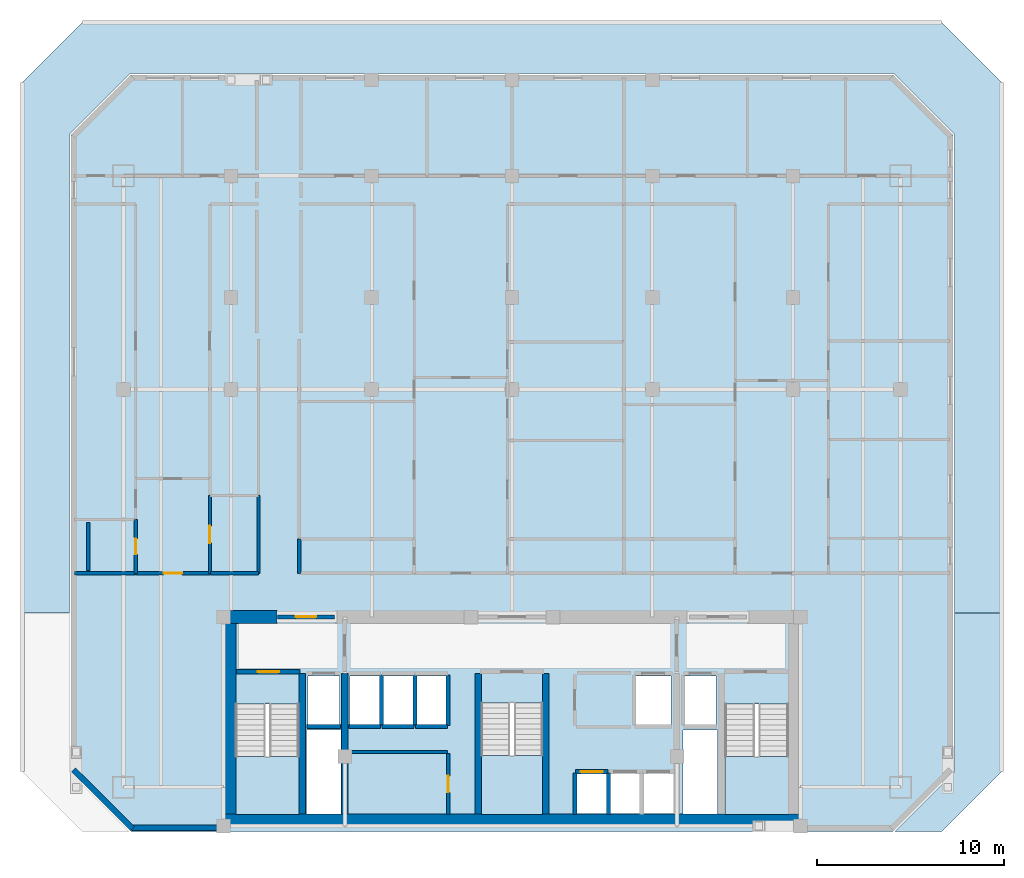
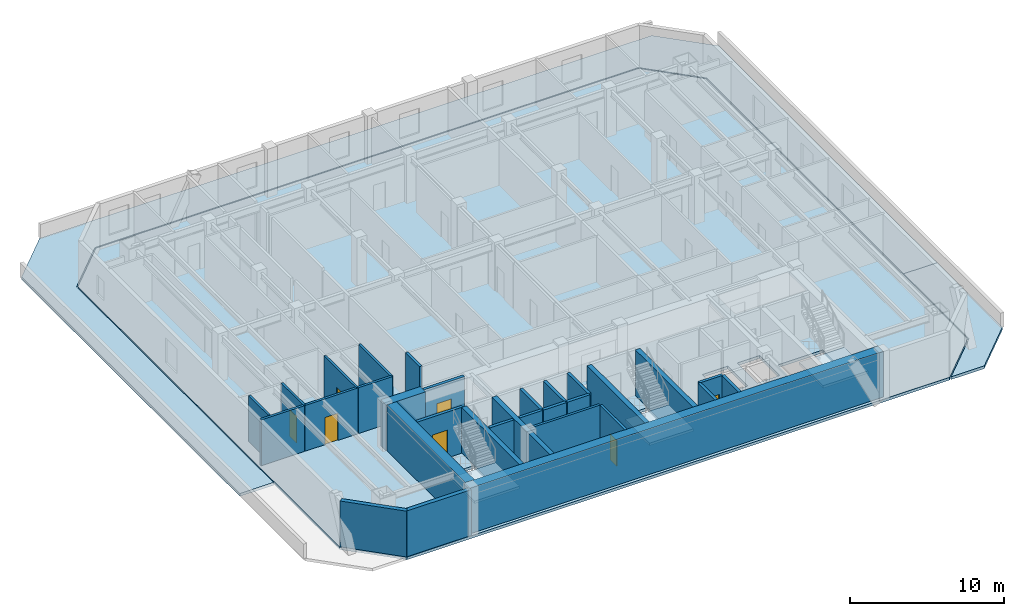
# One storey, part 2 of 8: 31 walls, 7 doors, 6 slabs, 7 openings, 3 elements without a shape of their own.
"""IFC4 building model written with IfcOpenShell, lengths in metres."""

from ifc_helpers import new_model, si_unit, direction, frame, frame_2d, origin, place, context, subcontext, project, spatial, polyline, rectangle, outline, extrude, material, layer, layer_set, type_object, element, fill, aggregate, save


model = new_model("IFC4")

# Units and contexts
model_context = context("Model", 3, precision=1e-05, world=origin(), true_north=direction((0.0, 1.0)))
body_context = subcontext(model_context, "Body", "Model", "MODEL_VIEW")
ifc_project = project(units=[si_unit("LENGTHUNIT", "METRE"), si_unit("AREAUNIT", "SQUARE_METRE"), si_unit("VOLUMEUNIT", "CUBIC_METRE"), si_unit("PLANEANGLEUNIT", "RADIAN"), si_unit("MASSUNIT", "GRAM", prefix="KILO")], contexts=[model_context])

# Site, building, storey
site_placement = place(None, origin())
site = spatial("IfcSite", under=ifc_project, at=site_placement, CompositionType="ELEMENT")
building_placement = place(site_placement, origin())
building = spatial("IfcBuilding", under=site, at=building_placement, Name="Ventersveld Concourse Tower", CompositionType="ELEMENT")
storey_placement = place(building_placement, frame((0.0, 0.0, 156.75)))
storey = spatial("IfcBuildingStorey", under=building, at=storey_placement, Name="L38", CompositionType="ELEMENT", Elevation=156.75)

# Slab
ifc_material_1 = material(Name="Concrete C50/60", Category="concrete")
ifc_layer_1 = layer(ifc_material_1, 0.219970703125)
ifc_layer_set_1 = layer_set([ifc_layer_1], Name="Concrete C50/60")
slab_type_1 = type_object("IfcSlabType", Name="SL-FLR-220", PredefinedType="FLOOR", material=ifc_layer_set_1)
slab_1_placement = place(storey_placement, frame((0.0, 0.0, -0.219970703125)))
element("IfcSlab", 1, at=slab_1_placement, inside=storey, type_object=slab_type_1, Name="L38 Composite Floor Slab", PredefinedType="FLOOR", context=body_context, shape_type="SweptSolid", body=[
    extrude(outline(polyline([(8.39990234375, 0.0), (49.10009765625, 0.0), (52.300048828125, 3.199951171875), (52.300048828125, 37.199951171875), (49.10009765625, 40.39990234375), (8.39990234375, 40.39990234375), (5.199951171875, 37.199951171875), (5.199951171875, 3.199951171875), (8.39990234375, 0.0)]), holes=[polyline([(13.97998046875, 6.794921875), (13.97998046875, 0.89990234375), (17.3798828125, 0.89990234375), (17.3798828125, 6.794921875), (13.97998046875, 6.794921875)]), polyline([(40.1201171875, 6.794921875), (40.1201171875, 0.89990234375), (43.52001953125, 0.89990234375), (43.52001953125, 6.794921875), (40.1201171875, 6.794921875)]), polyline([(27.10009765625, 6.844970703125), (27.10009765625, 0.89990234375), (30.39990234375, 0.89990234375), (30.39990234375, 6.844970703125), (27.10009765625, 6.844970703125)]), polyline([(17.85009765625, 5.699951171875), (19.530029296875, 5.699951171875), (19.530029296875, 8.300048828125), (17.85009765625, 8.300048828125), (17.85009765625, 5.699951171875)]), polyline([(37.969970703125, 5.699951171875), (39.64990234375, 5.699951171875), (39.64990234375, 8.300048828125), (37.969970703125, 8.300048828125), (37.969970703125, 5.699951171875)]), polyline([(35.35009765625, 5.699951171875), (37.25, 5.699951171875), (37.25, 8.300048828125), (35.35009765625, 8.300048828125), (35.35009765625, 5.699951171875)]), polyline([(32.2099609375, 0.949951171875), (33.81005859375, 0.949951171875), (33.81005859375, 3.050048828125), (32.2099609375, 3.050048828125), (32.2099609375, 0.949951171875)]), polyline([(33.989990234375, 0.949951171875), (35.590087890625, 0.949951171875), (35.590087890625, 3.050048828125), (33.989990234375, 3.050048828125), (33.989990234375, 0.949951171875)]), polyline([(35.77001953125, 0.949951171875), (37.3701171875, 0.949951171875), (37.3701171875, 3.050048828125), (35.77001953125, 3.050048828125), (35.77001953125, 0.949951171875)]), polyline([(20.090087890625, 5.699951171875), (21.68994140625, 5.699951171875), (21.68994140625, 8.300048828125), (20.090087890625, 8.300048828125), (20.090087890625, 5.699951171875)]), polyline([(21.8701171875, 5.699951171875), (23.469970703125, 5.699951171875), (23.469970703125, 8.300048828125), (21.8701171875, 8.300048828125), (21.8701171875, 5.699951171875)]), polyline([(23.64990234375, 5.699951171875), (25.25, 5.699951171875), (25.25, 8.300048828125), (23.64990234375, 8.300048828125), (23.64990234375, 5.699951171875)]), polyline([(17.780029296875, 0.919921875), (19.6201171875, 0.919921875), (19.6201171875, 5.419921875), (17.780029296875, 5.419921875), (17.780029296875, 0.919921875)]), polyline([(37.8798828125, 0.919921875), (39.719970703125, 0.919921875), (39.719970703125, 5.419921875), (37.8798828125, 5.419921875), (37.8798828125, 0.919921875)])]), origin(), (0.0, 0.0, 1.0), 0.219970703125),
])

# Stair, slab
stair_type_1 = type_object("IfcStairType", Name="ST-DOG-160", PredefinedType="HALF_TURN_STAIR", material=ifc_material_1)
stair_1_placement = place(storey_placement, origin())
stair_1 = element("IfcStair", 2, at=stair_1_placement, inside=storey, type_object=stair_type_1, Name="L38 Protected Tower Escape Stair ST-01", PredefinedType="HALF_TURN_STAIR")
ifc_layer_2 = layer(ifc_material_1, 0.199951171875)
ifc_layer_set_2 = layer_set([ifc_layer_2], Name="Concrete C50/60")
slab_type_2 = type_object("IfcSlabType", Name="SL-LND-200", PredefinedType="LANDING", material=ifc_layer_set_2)
slab_2_placement = place(storey_placement, frame((0.0, 0.0, 1.72509765625)))
slab_2 = element("IfcSlab", 3, at=slab_2_placement, type_object=slab_type_2, Name="ST-01 landing 1", PredefinedType="LANDING", context=body_context, shape_type="SweptSolid", body=[
    extrude(outline(polyline([(13.97998046875, 4.0), (13.97998046875, 0.89990234375), (17.3798828125, 0.89990234375), (17.3798828125, 4.0), (13.97998046875, 4.0)])), origin(), (0.0, 0.0, 1.0), 0.199951171875),
])
aggregate(stair_1, [slab_2])

stair_2_placement = place(storey_placement, origin())
stair_2 = element("IfcStair", 4, at=stair_2_placement, inside=storey, type_object=stair_type_1, Name="L38 Protected Tower Escape Stair ST-02", PredefinedType="HALF_TURN_STAIR")
slab_3_placement = place(storey_placement, frame((0.0, 0.0, 1.72509765625)))
slab_3 = element("IfcSlab", 5, at=slab_3_placement, type_object=slab_type_2, Name="ST-02 landing 1", PredefinedType="LANDING", context=body_context, shape_type="SweptSolid", body=[
    extrude(outline(polyline([(40.1201171875, 4.0), (40.1201171875, 0.89990234375), (43.52001953125, 0.89990234375), (43.52001953125, 4.0), (40.1201171875, 4.0)])), origin(), (0.0, 0.0, 1.0), 0.199951171875),
])
aggregate(stair_2, [slab_3])

stair_type_2 = type_object("IfcStairType", Name="ST-DOG-155", PredefinedType="HALF_TURN_STAIR", material=ifc_material_1)
stair_3_placement = place(storey_placement, origin())
stair_3 = element("IfcStair", 6, at=stair_3_placement, inside=storey, type_object=stair_type_2, Name="L38 Protected Central Core Escape Stair ST-03", PredefinedType="HALF_TURN_STAIR")
slab_4_placement = place(storey_placement, frame((0.0, 0.0, 1.72509765625)))
slab_4 = element("IfcSlab", 7, at=slab_4_placement, type_object=slab_type_2, Name="ST-03 landing 1", PredefinedType="LANDING", context=body_context, shape_type="SweptSolid", body=[
    extrude(outline(polyline([(27.10009765625, 4.050048828125), (27.10009765625, 0.89990234375), (30.39990234375, 0.89990234375), (30.39990234375, 4.050048828125), (27.10009765625, 4.050048828125)])), origin(), (0.0, 0.0, 1.0), 0.199951171875),
])
aggregate(stair_3, [slab_4])

# Slabs
ifc_layer_3 = layer(ifc_material_1, 0.219970703125)
ifc_layer_set_3 = layer_set([ifc_layer_3], Name="Concrete C50/60")
slab_type_3 = type_object("IfcSlabType", Name="SL-ROOF-220", PredefinedType="ROOF", material=ifc_layer_set_3)
slab_5_placement = place(storey_placement, frame((0.0, 0.0, -0.219970703125)))
element("IfcSlab", 8, at=slab_5_placement, inside=storey, type_object=slab_type_3, Name="L38 Maintenance Setback Roof Slab N1", PredefinedType="ROOF", context=body_context, shape_type="SweptSolid", body=[
    extrude(outline(polyline([(2.60009765625, 40.0), (5.800048828125, 43.199951171875), (51.699951171875, 43.199951171875), (54.89990234375, 40.0), (54.89990234375, 11.64990234375), (52.3798828125, 11.64990234375), (52.3798828125, 37.199951171875), (52.379638671875, 37.207763671875), (52.37841796875, 37.215576171875), (52.376708984375, 37.22314453125), (52.373779296875, 37.230712890625), (52.37060546875, 37.23779296875), (52.366455078125, 37.244384765625), (52.36181640625, 37.250732421875), (52.356689453125, 37.256591796875), (49.156494140625, 40.45654296875), (49.15087890625, 40.4619140625), (49.144287109375, 40.466552734375), (49.1376953125, 40.470703125), (49.130615234375, 40.473876953125), (49.123291015625, 40.4765625), (49.115478515625, 40.478515625), (49.10791015625, 40.4794921875), (49.10009765625, 40.47998046875), (8.39990234375, 40.47998046875), (8.39208984375, 40.4794921875), (8.384521484375, 40.478515625), (8.376708984375, 40.4765625), (8.369384765625, 40.473876953125), (8.3623046875, 40.470703125), (8.355712890625, 40.466552734375), (8.34912109375, 40.4619140625), (8.343505859375, 40.45654296875), (5.143310546875, 37.256591796875), (5.13818359375, 37.250732421875), (5.133544921875, 37.244384765625), (5.12939453125, 37.23779296875), (5.126220703125, 37.230712890625), (5.123291015625, 37.22314453125), (5.12158203125, 37.215576171875), (5.120361328125, 37.207763671875), (5.1201171875, 37.199951171875), (5.1201171875, 11.64990234375), (2.60009765625, 11.64990234375), (2.60009765625, 40.0)])), origin(), (0.0, 0.0, 1.0), 0.219970703125),
])
slab_6_placement = place(storey_placement, frame((0.0, 0.0, -0.219970703125)))
element("IfcSlab", 9, at=slab_6_placement, inside=storey, type_object=slab_type_3, Name="L38 Maintenance Setback Roof Slab E3", PredefinedType="ROOF", context=body_context, shape_type="SweptSolid", body=[
    extrude(outline(polyline([(54.89990234375, 3.199951171875), (51.699951171875, 0.0), (49.213134765625, 0.0), (52.356689453125, 3.143310546875), (52.36181640625, 3.149169921875), (52.366455078125, 3.155517578125), (52.37060546875, 3.162353515625), (52.373779296875, 3.16943359375), (52.376708984375, 3.1767578125), (52.37841796875, 3.184326171875), (52.379638671875, 3.192138671875), (52.3798828125, 3.199951171875), (52.3798828125, 11.64990234375), (54.89990234375, 11.64990234375), (54.89990234375, 3.199951171875)])), origin(), (0.0, 0.0, 1.0), 0.219970703125),
])

# Walls
ifc_material_2 = material(Name="Concrete C60/75", Category="concrete")
ifc_layer_4 = layer(ifc_material_2, 0.35009765625)
ifc_layer_set_4 = layer_set([ifc_layer_4], Name="Concrete C60/75")
wall_type_1 = type_object("IfcWallType", Name="WL-CORE-350L", PredefinedType="SHEAR", material=ifc_layer_set_4)
for number, where, z_axis, x_axis, name in (
    (10, (17.5400390625, 0.919921875, 0.0), (0.0, 0.0, 1.0), (0.0, 1.0, 0.0), "L38 Core Internal Shear Web W-ST1-E"),
    (11, (19.820068359375, 0.919921875, 0.0), (0.0, 0.0, 1.0), (0.0, 1.0, 0.0), "L38 Core Internal Shear Web W-FF1-E"),
    (12, (26.93994140625, 0.919921875, 0.0), (0.0, 0.0, 1.0), (0.0, 1.0, 0.0), "L38 Core Internal Shear Web W-ST3-W"),
    (13, (30.56005859375, 0.919921875, 0.0), (0.0, 0.0, 1.0), (0.0, 1.0, 0.0), "L38 Core Internal Shear Web W-ST3-E"),
):
    element("IfcWall", number, at=place(storey_placement, frame(where, z_axis=z_axis, x_axis=x_axis)), inside=storey, type_object=wall_type_1, Name=name, PredefinedType="SHEAR", context=body_context, shape_type="SweptSolid", body=[
        extrude(rectangle(XDim=7.5, YDim=0.35009765625, at=frame_2d((3.75, 0.0))), origin(), (0.0, 0.0, 1.0), 3.6298828125),
    ])
ifc_layer_5 = layer(ifc_material_2, 0.699951171875)
ifc_layer_set_5 = layer_set([ifc_layer_5], Name="Concrete C60/75")
wall_type_2 = type_object("IfcWallType", Name="WL-CORE-700", PredefinedType="SHEAR", material=ifc_layer_set_5)
wall_1_placement = place(storey_placement, frame((13.25, 0.570068359375, 0.0), z_axis=(0.0, 0.0, 1.0), x_axis=(1.0, 0.0, 0.0)))
element("IfcWall", 14, at=wall_1_placement, inside=storey, type_object=wall_type_2, Name="L38 Rear Core South Shear Wall", PredefinedType="SHEAR", context=body_context, shape_type="SweptSolid", body=[
    extrude(rectangle(XDim=31.0, YDim=0.699951171875, at=frame_2d((15.5, 0.0))), origin(), (0.0, 0.0, 1.0), 3.6298828125),
])
wall_2_placement = place(storey_placement, frame((13.64990234375, 0.919921875, 0.0), z_axis=(0.0, 0.0, 1.0), x_axis=(0.0, 1.0, 0.0)))
element("IfcWall", 15, at=wall_2_placement, inside=storey, type_object=wall_type_2, Name="L38 Rear Core West Shear Wall", PredefinedType="SHEAR", context=body_context, shape_type="SweptSolid", body=[
    extrude(rectangle(XDim=10.530029296875, YDim=0.699951171875, at=frame_2d((5.26513671875, 0.0))), origin(), (0.0, 0.0, 1.0), 3.6298828125),
])
wall_3_placement = place(storey_placement, frame((13.25, 11.449951171875, 0.0), z_axis=(0.0, 0.0, 1.0), x_axis=(1.0, 0.0, 0.0)))
element("IfcWall", 16, at=wall_3_placement, inside=storey, type_object=wall_type_2, Name="L38 Rear Core North Shear Wall NW", PredefinedType="SHEAR", context=body_context, shape_type="SweptSolid", body=[
    extrude(rectangle(XDim=2.949951171875, YDim=0.699951171875, at=frame_2d((1.47509765625, 0.0))), origin(), (0.0, 0.0, 1.0), 3.6298828125),
])

# Wall, opening, door
ifc_material_3 = material(Name="Fire-rated autoclaved aerated masonry blockwork", Category="masonry")
ifc_layer_6 = layer(ifc_material_3, 0.179931640625)
ifc_layer_set_6 = layer_set([ifc_layer_6], Name="Fire-rated autoclaved aerated masonry blockwork")
wall_type_3 = type_object("IfcWallType", Name="WL-CORR-180", PredefinedType="PARTITIONING", material=ifc_layer_set_6)
wall_4_placement = place(storey_placement, frame((25.35009765625, 0.89990234375, 0.0), z_axis=(0.0, 0.0, 1.0), x_axis=(0.0, 1.0, 0.0)))
wall_4 = element("IfcWall", 17, at=wall_4_placement, inside=storey, type_object=wall_type_3, Name="L38 Core Passage Wall SP-L38-RECB1A", PredefinedType="PARTITIONING", context=body_context, shape_type="SweptSolid", body=[
    extrude(rectangle(XDim=3.239990234375, YDim=0.179931640625, at=frame_2d((1.6201171875, 0.0))), origin(), (0.0, 0.0, 1.0), 3.6298828125),
])
opening_1_placement = place(wall_4_placement, frame((1.179931640625, 0.0, 0.0)))
opening_1 = element("IfcOpeningElement", 18, at=opening_1_placement, cuts=wall_4, Name="Opening FD5", PredefinedType="OPENING", context=body_context, shape_type="SweptSolid", body=[
    extrude(rectangle(XDim=0.8798828125, YDim=2.050048828125, at=frame_2d((0.43994140625, 1.02490234375))), frame((0.0, 0.10009765625, 0.0), z_axis=(0.0, -1.0, 0.0), x_axis=(1.0, 0.0, 0.0)), (0.0, 0.0, 1.0), 0.199951171875),
])
ifc_material_4 = material(Name="Galvanised painted steel", Category="steel")
door_type_1 = type_object("IfcDoorType", Name="DR-RISER-088", OperationType="NOTDEFINED", PredefinedType="DOOR", material=ifc_material_4)
door_1_placement = place(opening_1_placement, origin())
door_1 = element("IfcDoor", 19, at=door_1_placement, inside=storey, type_object=door_type_1, Name="L38 Core Room Door L38 Reclaimed Core Quiet Study Pod (CD-L38-1858)", OperationType="SINGLE_SWING_LEFT", OverallHeight=2.050048828125, OverallWidth=0.8798828125, PredefinedType="DOOR", context=body_context, shape_type="SweptSolid", body=[
    extrude(rectangle(XDim=0.8798828125, YDim=2.050048828125, at=frame_2d((0.43994140625, 1.02490234375))), frame((0.0, 0.02490234375, 0.0), z_axis=(0.0, -1.0, 0.0), x_axis=(1.0, 0.0, 0.0)), (0.0, 0.0, 1.0), 0.050048828125),
])
fill(opening_1, door_1)

# Wall
wall_5_placement = place(storey_placement, frame((19.97998046875, 4.22998046875, 0.0), z_axis=(0.0, 0.0, 1.0), x_axis=(1.0, 0.0, 0.0)))
element("IfcWall", 20, at=wall_5_placement, inside=storey, type_object=wall_type_3, Name="L38 Core Top Wall SP-L38-RECB1A", PredefinedType="PARTITIONING", context=body_context, shape_type="SweptSolid", body=[
    extrude(rectangle(XDim=5.320068359375, YDim=0.179931640625, at=frame_2d((2.66015625, 0.0))), origin(), (0.0, 0.0, 1.0), 3.6298828125),
])

# Wall, opening, door
wall_6_placement = place(storey_placement, frame((8.65380859375, 13.77001953125, 0.0), z_axis=(0.0, 0.0, 1.0), x_axis=(1.0, 0.0, 0.0)))
wall_6 = element("IfcWall", 21, at=wall_6_placement, inside=storey, type_object=wall_type_3, Name="L38 Interior Partition SP-L38-COR-SP-L38-38NW-FOY", PredefinedType="PARTITIONING", context=body_context, shape_type="SweptSolid", body=[
    extrude(rectangle(XDim=3.969970703125, YDim=0.179931640625, at=frame_2d((1.98486328125, 0.0))), origin(), (0.0, 0.0, 1.0), 3.6298828125),
])
opening_2_placement = place(wall_6_placement, frame((1.485107421875, 0.0, 0.0)))
opening_2 = element("IfcOpeningElement", 22, at=opening_2_placement, cuts=wall_6, Name="Opening FD3", PredefinedType="OPENING", context=body_context, shape_type="SweptSolid", body=[
    extrude(rectangle(XDim=1.0, YDim=2.14990234375, at=frame_2d((0.5, 1.074951171875))), frame((0.0, 0.10009765625, 0.0), z_axis=(0.0, -1.0, 0.0), x_axis=(1.0, 0.0, 0.0)), (0.0, 0.0, 1.0), 0.199951171875),
])
ifc_material_5 = material(Name="Solid-core hardwood veneer timber", Category="wood")
door_type_2 = type_object("IfcDoorType", Name="DR-FLAT-100", OperationType="NOTDEFINED", PredefinedType="DOOR", material=ifc_material_5)
door_2_placement = place(opening_2_placement, origin())
door_2 = element("IfcDoor", 23, at=door_2_placement, inside=storey, type_object=door_type_2, Name="L38 Interior Door SP-L38-COR to SP-L38-38NW-FOY (FD-L38-1860)", OperationType="SINGLE_SWING_RIGHT", OverallHeight=2.14990234375, OverallWidth=1.0, PredefinedType="DOOR", context=body_context, shape_type="SweptSolid", body=[
    extrude(rectangle(XDim=1.0, YDim=2.14990234375, at=frame_2d((0.5, 1.074951171875))), frame((0.0, 0.02490234375, 0.0), z_axis=(0.0, -1.0, 0.0), x_axis=(1.0, 0.0, 0.0)), (0.0, 0.0, 1.0), 0.050048828125),
])
fill(opening_2, door_2)

# Walls
wall_7_placement = place(storey_placement, frame((5.37255859375, 13.77001953125, 0.0), z_axis=(0.0, 0.0, 1.0), x_axis=(1.0, 0.0, 0.0)))
element("IfcWall", 24, at=wall_7_placement, inside=storey, type_object=wall_type_3, Name="L38 Interior Partition SP-L38-COR-SP-L38-38NW-BATH", PredefinedType="PARTITIONING", context=body_context, shape_type="SweptSolid", body=[
    extrude(rectangle(XDim=3.251220703125, YDim=0.179931640625, at=frame_2d((1.62548828125, 0.0))), origin(), (0.0, 0.0, 1.0), 3.6298828125),
])
wall_8_placement = place(storey_placement, frame((15.2099609375, 13.764892578125, 0.0), z_axis=(0.0, 0.0, 1.0), x_axis=(0.0, 1.0, 0.0)))
element("IfcWall", 25, at=wall_8_placement, inside=storey, type_object=wall_type_3, Name="L38 Interior Partition SP-L38-COR-SP-L38-38NW-KIT", PredefinedType="PARTITIONING", context=body_context, shape_type="SweptSolid", body=[
    extrude(rectangle(XDim=4.17138671875, YDim=0.179931640625, at=frame_2d((2.085693359375, 0.0))), origin(), (0.0, 0.0, 1.0), 3.6298828125),
])
wall_9_placement = place(storey_placement, frame((12.65380859375, 13.77001953125, 0.0), z_axis=(0.0, 0.0, 1.0), x_axis=(1.0, 0.0, 0.0)))
element("IfcWall", 26, at=wall_9_placement, inside=storey, type_object=wall_type_3, Name="L38 Interior Partition SP-L38-COR-SP-L38-38NW-KIT", PredefinedType="PARTITIONING", context=body_context, shape_type="SweptSolid", body=[
    extrude(rectangle(XDim=2.561279296875, YDim=0.179931640625, at=frame_2d((1.28076171875, 0.0))), origin(), (0.0, 0.0, 1.0), 3.6298828125),
])
wall_10_placement = place(storey_placement, frame((17.389892578125, 13.764892578125, 0.0), z_axis=(0.0, 0.0, 1.0), x_axis=(0.0, 1.0, 0.0)))
element("IfcWall", 27, at=wall_10_placement, inside=storey, type_object=wall_type_3, Name="L38 Interior Partition SP-L38-COR-SP-L38-38N1-BATH", PredefinedType="PARTITIONING", context=body_context, shape_type="SweptSolid", body=[
    extrude(rectangle(XDim=1.840087890625, YDim=0.179931640625, at=frame_2d((0.919921875, 0.0))), origin(), (0.0, 0.0, 1.0), 3.6298828125),
])
ifc_layer_7 = layer(ifc_material_3, 0.219970703125)
ifc_layer_set_7 = layer_set([ifc_layer_7], Name="Fire-rated autoclaved aerated masonry blockwork")
wall_type_4 = type_object("IfcWallType", Name="WL-HOIST-220", PredefinedType="SOLIDWALL", material=ifc_layer_set_7)
wall_11_placement = place(storey_placement, frame((17.800048828125, 5.590087890625, 0.0), z_axis=(0.0, 0.0, 1.0), x_axis=(1.0, 0.0, 0.0)))
element("IfcWall", 28, at=wall_11_placement, inside=storey, type_object=wall_type_4, Name="L38 Lift Hoistway Back Wall FFL-01", PredefinedType="SOLIDWALL", context=body_context, shape_type="SweptSolid", body=[
    extrude(rectangle(XDim=1.780029296875, YDim=0.219970703125, at=frame_2d((0.89013671875, 0.0))), origin(), (0.0, 0.0, 1.0), 3.6298828125),
])
for number, where, z_axis, x_axis, name in (
    (29, (32.1201171875, 0.89990234375, 0.0), (0.0, 0.0, 1.0), (0.0, 1.0, 0.0), "L38 Lift Hoistway Side Wall PM-01W"),
    (30, (33.89990234375, 0.89990234375, 0.0), (0.0, 0.0, 1.0), (0.0, 1.0, 0.0), "L38 Lift Hoistway Side Wall PM-01E"),
):
    element("IfcWall", number, at=place(storey_placement, frame(where, z_axis=z_axis, x_axis=x_axis)), inside=storey, type_object=wall_type_4, Name=name, PredefinedType="SOLIDWALL", context=body_context, shape_type="SweptSolid", body=[
        extrude(rectangle(XDim=2.2001953125, YDim=0.219970703125, at=frame_2d((1.10009765625, 0.0))), origin(), (0.0, 0.0, 1.0), 3.6298828125),
    ])

# Wall, opening, door
wall_12_placement = place(storey_placement, frame((32.139892578125, 3.179931640625, 0.0), z_axis=(0.0, 0.0, 1.0), x_axis=(1.0, 0.0, 0.0)))
wall_12 = element("IfcWall", 31, at=wall_12_placement, inside=storey, type_object=wall_type_4, Name="L38 Lift Hoistway Front Wall PM-01", PredefinedType="SOLIDWALL", context=body_context, shape_type="SweptSolid", body=[
    extrude(rectangle(XDim=1.739990234375, YDim=0.219970703125, at=frame_2d((0.8701171875, 0.0))), origin(), (0.0, 0.0, 1.0), 3.6298828125),
])
opening_3_placement = place(wall_12_placement, frame((0.280029296875, 0.0, 0.0)))
opening_3 = element("IfcOpeningElement", 32, at=opening_3_placement, cuts=wall_12, Name="Opening LD2", PredefinedType="OPENING", context=body_context, shape_type="SweptSolid", body=[
    extrude(rectangle(XDim=1.179931640625, YDim=2.199951171875, at=frame_2d((0.58984375, 1.10009765625))), frame((0.0, 0.1201171875, 0.0), z_axis=(0.0, -1.0, 0.0), x_axis=(1.0, 0.0, 0.0)), (0.0, 0.0, 1.0), 0.239990234375),
])
ifc_material_6 = material(Name="Brushed stainless steel 316", Category="steel")
door_type_3 = type_object("IfcDoorType", Name="LD-PAX-118", OperationType="SLIDING_TO_LEFT", PredefinedType="DOOR", material=ifc_material_6)
door_3_placement = place(opening_3_placement, origin())
door_3 = element("IfcDoor", 33, at=door_3_placement, inside=storey, type_object=door_type_3, Name="L38 Lift landing door PM-01 (LD-L38-PM-01)", OperationType="SLIDING_TO_RIGHT", OverallHeight=2.199951171875, OverallWidth=1.179931640625, PredefinedType="DOOR", context=body_context, shape_type="SweptSolid", body=[
    extrude(rectangle(XDim=1.179931640625, YDim=2.199951171875, at=frame_2d((0.58984375, 1.10009765625))), frame((0.0, 0.02490234375, 0.0), z_axis=(0.0, -1.0, 0.0), x_axis=(1.0, 0.0, 0.0)), (0.0, 0.0, 1.0), 0.050048828125),
])
fill(opening_3, door_3)

# Walls
wall_13_placement = place(storey_placement, frame((20.0400390625, 5.590087890625, 0.0), z_axis=(0.0, 0.0, 1.0), x_axis=(1.0, 0.0, 0.0)))
element("IfcWall", 34, at=wall_13_placement, inside=storey, type_object=wall_type_4, Name="L38 Lift Hoistway Back Wall PH-01", PredefinedType="SOLIDWALL", context=body_context, shape_type="SweptSolid", body=[
    extrude(rectangle(XDim=1.699951171875, YDim=0.219970703125, at=frame_2d((0.85009765625, 0.0))), origin(), (0.0, 0.0, 1.0), 3.6298828125),
])
wall_14_placement = place(storey_placement, frame((21.780029296875, 5.64990234375, 0.0), z_axis=(0.0, 0.0, 1.0), x_axis=(0.0, 1.0, 0.0)))
element("IfcWall", 35, at=wall_14_placement, inside=storey, type_object=wall_type_4, Name="L38 Lift Hoistway Side Wall PH-01E", PredefinedType="SOLIDWALL", context=body_context, shape_type="SweptSolid", body=[
    extrude(rectangle(XDim=2.7001953125, YDim=0.219970703125, at=frame_2d((1.35009765625, 0.0))), origin(), (0.0, 0.0, 1.0), 3.6298828125),
])
wall_15_placement = place(storey_placement, frame((21.820068359375, 5.590087890625, 0.0), z_axis=(0.0, 0.0, 1.0), x_axis=(1.0, 0.0, 0.0)))
element("IfcWall", 36, at=wall_15_placement, inside=storey, type_object=wall_type_4, Name="L38 Lift Hoistway Back Wall PH-02", PredefinedType="SOLIDWALL", context=body_context, shape_type="SweptSolid", body=[
    extrude(rectangle(XDim=1.699951171875, YDim=0.219970703125, at=frame_2d((0.85009765625, 0.0))), origin(), (0.0, 0.0, 1.0), 3.6298828125),
])
wall_16_placement = place(storey_placement, frame((23.56005859375, 5.64990234375, 0.0), z_axis=(0.0, 0.0, 1.0), x_axis=(0.0, 1.0, 0.0)))
element("IfcWall", 37, at=wall_16_placement, inside=storey, type_object=wall_type_4, Name="L38 Lift Hoistway Side Wall PH-02E", PredefinedType="SOLIDWALL", context=body_context, shape_type="SweptSolid", body=[
    extrude(rectangle(XDim=2.7001953125, YDim=0.219970703125, at=frame_2d((1.35009765625, 0.0))), origin(), (0.0, 0.0, 1.0), 3.6298828125),
])
wall_17_placement = place(storey_placement, frame((23.60009765625, 5.590087890625, 0.0), z_axis=(0.0, 0.0, 1.0), x_axis=(1.0, 0.0, 0.0)))
element("IfcWall", 38, at=wall_17_placement, inside=storey, type_object=wall_type_4, Name="L38 Lift Hoistway Back Wall PH-03", PredefinedType="SOLIDWALL", context=body_context, shape_type="SweptSolid", body=[
    extrude(rectangle(XDim=1.699951171875, YDim=0.219970703125, at=frame_2d((0.85009765625, 0.0))), origin(), (0.0, 0.0, 1.0), 3.6298828125),
])
wall_18_placement = place(storey_placement, frame((25.340087890625, 5.64990234375, 0.0), z_axis=(0.0, 0.0, 1.0), x_axis=(0.0, 1.0, 0.0)))
element("IfcWall", 39, at=wall_18_placement, inside=storey, type_object=wall_type_4, Name="L38 Lift Hoistway Side Wall PH-03E", PredefinedType="SOLIDWALL", context=body_context, shape_type="SweptSolid", body=[
    extrude(rectangle(XDim=2.7001953125, YDim=0.219970703125, at=frame_2d((1.35009765625, 0.0))), origin(), (0.0, 0.0, 1.0), 3.6298828125),
])

# Wall, opening, door
wall_19_placement = place(storey_placement, frame((14.0400390625, 8.52001953125, 0.0), z_axis=(0.0, 0.0, 1.0), x_axis=(1.0, 0.0, 0.0)))
wall_19 = element("IfcWall", 40, at=wall_19_placement, inside=storey, type_object=wall_type_4, Name="L38 Escape Stair ST01 Fire Wall", PredefinedType="SOLIDWALL", context=body_context, shape_type="SweptSolid", body=[
    extrude(rectangle(XDim=3.39990234375, YDim=0.219970703125, at=frame_2d((1.699951171875, 0.0))), origin(), (0.0, 0.0, 1.0), 3.6298828125),
])
opening_4_placement = place(wall_19_placement, frame((1.125, 0.0, 0.0)))
opening_4 = element("IfcOpeningElement", 41, at=opening_4_placement, cuts=wall_19, Name="Opening FD1", PredefinedType="OPENING", context=body_context, shape_type="SweptSolid", body=[
    extrude(rectangle(XDim=1.14990234375, YDim=2.199951171875, at=frame_2d((0.574951171875, 1.10009765625))), frame((0.0, 0.1201171875, 0.0), z_axis=(0.0, -1.0, 0.0), x_axis=(1.0, 0.0, 0.0)), (0.0, 0.0, 1.0), 0.239990234375),
])
door_type_4 = type_object("IfcDoorType", Name="DR-STAIR-115", OperationType="NOTDEFINED", PredefinedType="DOOR", material=ifc_material_4)
door_4_placement = place(opening_4_placement, origin())
door_4 = element("IfcDoor", 42, at=door_4_placement, inside=storey, type_object=door_type_4, Name="L38 Escape Stair Door ST01 (SD-L38-1850)", OperationType="SINGLE_SWING_LEFT", OverallHeight=2.199951171875, OverallWidth=1.14990234375, PredefinedType="DOOR", context=body_context, shape_type="SweptSolid", body=[
    extrude(rectangle(XDim=1.14990234375, YDim=2.199951171875, at=frame_2d((0.574951171875, 1.10009765625))), frame((0.0, 0.02490234375, 0.0), z_axis=(0.0, -1.0, 0.0), x_axis=(1.0, 0.0, 0.0)), (0.0, 0.0, 1.0), 0.050048828125),
])
fill(opening_4, door_4)

wall_20_placement = place(storey_placement, frame((16.22998046875, 11.449951171875, 0.0), z_axis=(0.0, 0.0, 1.0), x_axis=(1.0, 0.0, 0.0)))
wall_20 = element("IfcWall", 43, at=wall_20_placement, inside=storey, type_object=wall_type_4, Name="L38 Core North Fire Portal FFLW-OUT", PredefinedType="SOLIDWALL", context=body_context, shape_type="SweptSolid", body=[
    extrude(rectangle(XDim=3.0400390625, YDim=0.219970703125, at=frame_2d((1.52001953125, 0.0))), origin(), (0.0, 0.0, 1.0), 3.6298828125),
])
opening_5_placement = place(wall_20_placement, frame((0.969970703125, 0.0, 0.0)))
opening_5 = element("IfcOpeningElement", 44, at=opening_5_placement, cuts=wall_20, Name="Opening FD2", PredefinedType="OPENING", context=body_context, shape_type="SweptSolid", body=[
    extrude(rectangle(XDim=1.10009765625, YDim=2.199951171875, at=frame_2d((0.550048828125, 1.10009765625))), frame((0.0, 0.1201171875, 0.0), z_axis=(0.0, -1.0, 0.0), x_axis=(1.0, 0.0, 0.0)), (0.0, 0.0, 1.0), 0.239990234375),
])
door_type_5 = type_object("IfcDoorType", Name="DR-FFL-110", OperationType="NOTDEFINED", PredefinedType="DOOR", material=ifc_material_4)
door_5_placement = place(opening_5_placement, origin())
door_5 = element("IfcDoor", 45, at=door_5_placement, inside=storey, type_object=door_type_5, Name="L38 Core Lobby Fire Door FFLW-OUT (FD-L38-1855)", OperationType="SINGLE_SWING_RIGHT", OverallHeight=2.199951171875, OverallWidth=1.10009765625, PredefinedType="DOOR", context=body_context, shape_type="SweptSolid", body=[
    extrude(rectangle(XDim=1.10009765625, YDim=2.199951171875, at=frame_2d((0.550048828125, 1.10009765625))), frame((0.0, 0.02490234375, 0.0), z_axis=(0.0, -1.0, 0.0), x_axis=(1.0, 0.0, 0.0)), (0.0, 0.0, 1.0), 0.050048828125),
])
fill(opening_5, door_5)

ifc_material_7 = material(Name="Autoclaved aerated masonry blockwork", Category="masonry")
ifc_layer_8 = layer(ifc_material_7, 0.14990234375)
ifc_layer_set_8 = layer_set([ifc_layer_8], Name="Autoclaved aerated masonry blockwork")
wall_type_5 = type_object("IfcWallType", Name="WL-INT-150", PredefinedType="PARTITIONING", material=ifc_layer_set_8)
wall_21_placement = place(storey_placement, frame((12.61865234375, 13.764892578125, 0.0), z_axis=(0.0, 0.0, 1.0), x_axis=(0.0, 1.0, 0.0)))
wall_21 = element("IfcWall", 46, at=wall_21_placement, inside=storey, type_object=wall_type_5, Name="L38 Interior Partition SP-L38-38NW-FOY-SP-L38-38NW-KIT", PredefinedType="PARTITIONING", context=body_context, shape_type="SweptSolid", body=[
    extrude(rectangle(XDim=4.17138671875, YDim=0.14990234375, at=frame_2d((2.085693359375, 0.0))), origin(), (0.0, 0.0, 1.0), 3.6298828125),
])
opening_6_placement = place(wall_21_placement, frame((1.62548828125, 0.0, 0.0)))
opening_6 = element("IfcOpeningElement", 47, at=opening_6_placement, cuts=wall_21, Name="Opening ID1", PredefinedType="OPENING", context=body_context, shape_type="SweptSolid", body=[
    extrude(rectangle(XDim=0.919921875, YDim=2.10009765625, at=frame_2d((0.4599609375, 1.050048828125))), frame((0.0, 0.0849609375, 0.0), z_axis=(0.0, -1.0, 0.0), x_axis=(1.0, 0.0, 0.0)), (0.0, 0.0, 1.0), 0.169921875),
])
door_type_6 = type_object("IfcDoorType", Name="DR-ROOM-092", OperationType="NOTDEFINED", PredefinedType="DOOR", material=ifc_material_5)
door_6_placement = place(opening_6_placement, origin())
door_6 = element("IfcDoor", 48, at=door_6_placement, inside=storey, type_object=door_type_6, Name="L38 Interior Door SP-L38-38NW-FOY to SP-L38-38NW-KIT (D-L38-1866)", OperationType="SINGLE_SWING_RIGHT", OverallHeight=2.10009765625, OverallWidth=0.919921875, PredefinedType="DOOR", context=body_context, shape_type="SweptSolid", body=[
    extrude(rectangle(XDim=0.919921875, YDim=2.10009765625, at=frame_2d((0.4599609375, 1.050048828125))), frame((0.0, 0.02490234375, 0.0), z_axis=(0.0, -1.0, 0.0), x_axis=(1.0, 0.0, 0.0)), (0.0, 0.0, 1.0), 0.050048828125),
])
fill(opening_6, door_6)

# Walls
ifc_material_8 = material(Name="Precast concrete C45/55", Category="concrete")
ifc_layer_9 = layer(ifc_material_8, 0.300048828125)
ifc_layer_set_9 = layer_set([ifc_layer_9], Name="Precast concrete C45/55")
wall_type_6 = type_object("IfcWallType", Name="WL-PREC-300", PredefinedType="SOLIDWALL", material=ifc_layer_set_9)
wall_22_placement = place(storey_placement, frame((8.43994140625, 0.179931640625, 0.0), z_axis=(0.0, 0.0, 1.0), x_axis=(1.0, 0.0, 0.0)))
element("IfcWall", 49, at=wall_22_placement, inside=storey, type_object=wall_type_6, Name="L38 South-West Flank Precast Wall", PredefinedType="SOLIDWALL", context=body_context, shape_type="SweptSolid", body=[
    extrude(rectangle(XDim=4.81005859375, YDim=0.300048828125, at=frame_2d((2.405029296875, 0.0))), origin(), (0.0, 0.0, 1.0), 3.6298828125),
])
wall_23_placement = place(storey_placement, frame((5.33447265625, 3.27783203125, 0.0), z_axis=(0.0, 0.0, 1.0), x_axis=(0.707106781187, -0.707106781187, 0.0)))
element("IfcWall", 50, at=wall_23_placement, inside=storey, type_object=wall_type_6, Name="L38 Highveld Precast Facade Wall E08", PredefinedType="SOLIDWALL", context=body_context, shape_type="SweptSolid", body=[
    extrude(rectangle(XDim=4.4453125, YDim=0.300048828125, at=frame_2d((2.22265625, 0.0))), origin(), (0.0, 0.0, 1.0), 3.6298828125),
])

# Wall, opening, door
ifc_layer_10 = layer(ifc_material_7, 0.1650390625)
ifc_layer_set_10 = layer_set([ifc_layer_10], Name="Autoclaved aerated masonry blockwork")
wall_type_7 = type_object("IfcWallType", Name="WL-WET-165", PredefinedType="PLUMBINGWALL", material=ifc_layer_set_10)
wall_24_placement = place(storey_placement, frame((8.65869140625, 13.764892578125, 0.0), z_axis=(0.0, 0.0, 1.0), x_axis=(0.0, 1.0, 0.0)))
wall_24 = element("IfcWall", 51, at=wall_24_placement, inside=storey, type_object=wall_type_7, Name="L38 Interior Partition SP-L38-38NW-FOY-SP-L38-38NW-BATH", PredefinedType="PLUMBINGWALL", context=body_context, shape_type="SweptSolid", body=[
    extrude(rectangle(XDim=2.885498046875, YDim=0.1650390625, at=frame_2d((1.44287109375, 0.0))), origin(), (0.0, 0.0, 1.0), 3.6298828125),
])
opening_7_placement = place(wall_24_placement, frame((1.017578125, 0.0, 0.0)))
opening_7 = element("IfcOpeningElement", 52, at=opening_7_placement, cuts=wall_24, Name="Opening ID2", PredefinedType="OPENING", context=body_context, shape_type="SweptSolid", body=[
    extrude(rectangle(XDim=0.85009765625, YDim=2.10009765625, at=frame_2d((0.425048828125, 1.050048828125))), frame((0.0, 0.092529296875, 0.0), z_axis=(0.0, -1.0, 0.0), x_axis=(1.0, 0.0, 0.0)), (0.0, 0.0, 1.0), 0.18505859375),
])
door_type_7 = type_object("IfcDoorType", Name="DR-BATH-085", OperationType="NOTDEFINED", PredefinedType="DOOR", material=ifc_material_5)
door_7_placement = place(opening_7_placement, origin())
door_7 = element("IfcDoor", 53, at=door_7_placement, inside=storey, type_object=door_type_7, Name="L38 Interior Door SP-L38-38NW-FOY to SP-L38-38NW-BATH (D-L38-1864)", OperationType="SINGLE_SWING_RIGHT", OverallHeight=2.10009765625, OverallWidth=0.85009765625, PredefinedType="DOOR", context=body_context, shape_type="SweptSolid", body=[
    extrude(rectangle(XDim=0.85009765625, YDim=2.10009765625, at=frame_2d((0.425048828125, 1.050048828125))), frame((0.0, 0.02490234375, 0.0), z_axis=(0.0, -1.0, 0.0), x_axis=(1.0, 0.0, 0.0)), (0.0, 0.0, 1.0), 0.050048828125),
])
fill(opening_7, door_7)

# Wall
wall_25_placement = place(storey_placement, frame((6.1201171875, 13.93505859375, 0.0), z_axis=(0.0, 0.0, 1.0), x_axis=(0.0, 1.0, 0.0)))
element("IfcWall", 54, at=wall_25_placement, inside=storey, type_object=wall_type_7, Name="L38 Room Enclosure Wall SP-L38-38NW-BATH", PredefinedType="PLUMBINGWALL", context=body_context, shape_type="SweptSolid", body=[
    extrude(rectangle(XDim=2.545166015625, YDim=0.1650390625, at=frame_2d((1.2724609375, 0.0))), origin(), (0.0, 0.0, 1.0), 3.6298828125),
])

save(model, "model.ifc")
